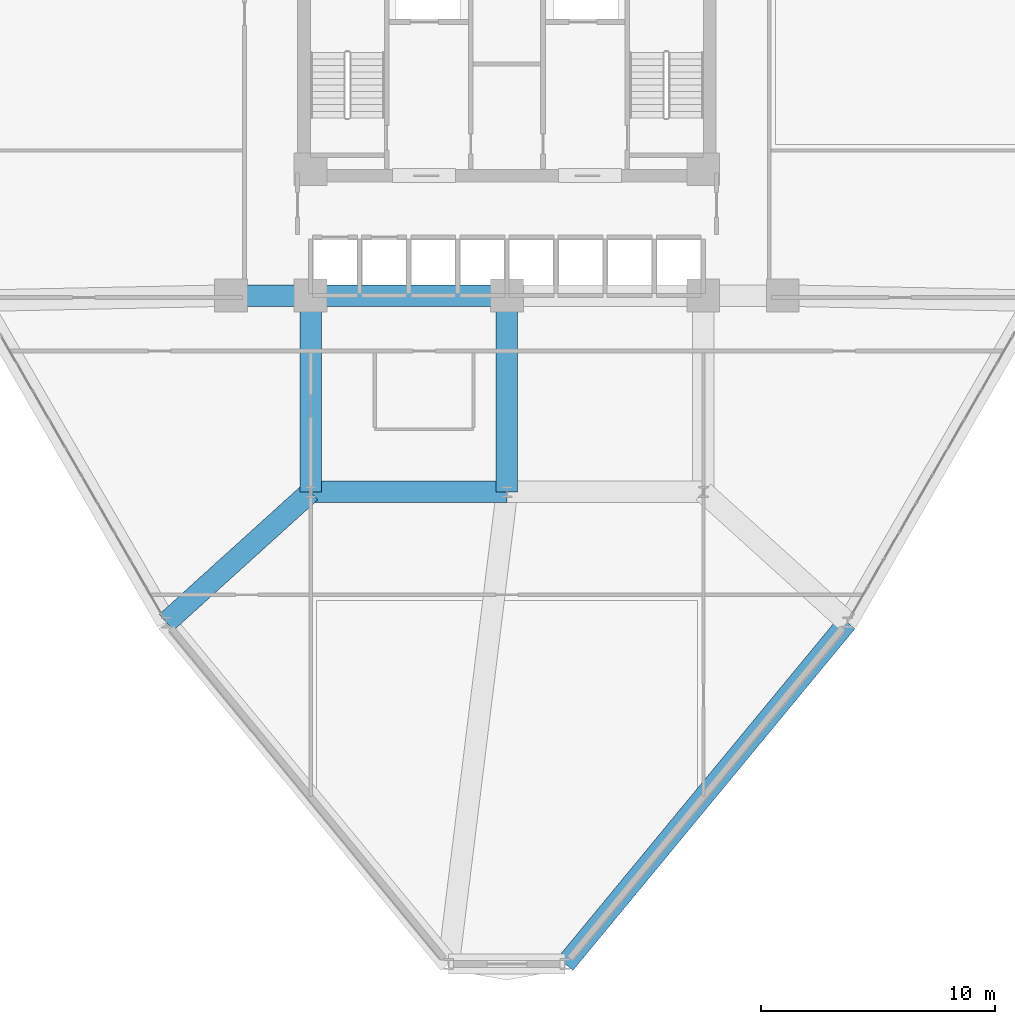
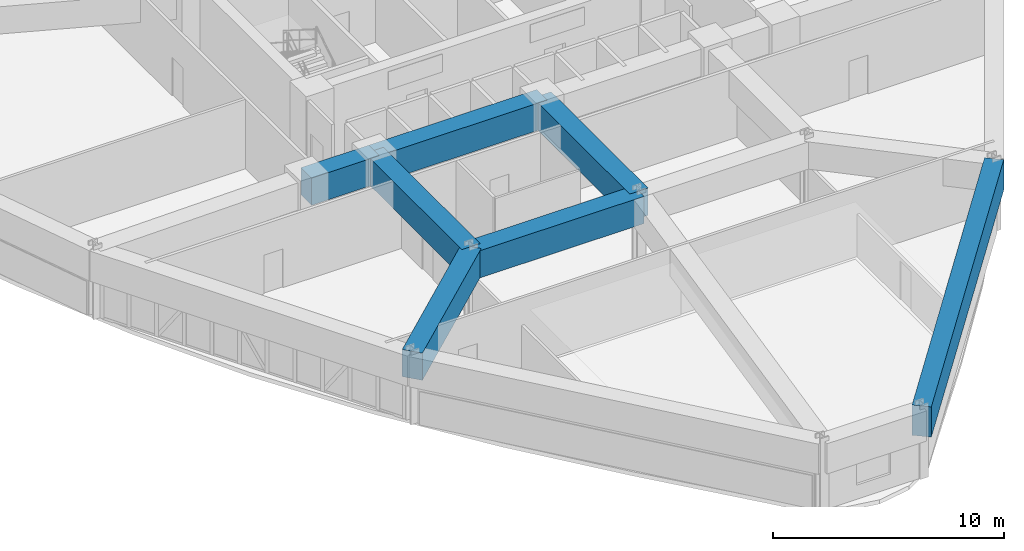
# One storey, part 5 of 20: 7 beams.
"""IFC4 building model written with IfcOpenShell, lengths in metres."""

from ifc_helpers import new_model, si_unit, derived_unit, direction, frame, origin, origin_2d, place, context, subcontext, project, spatial, rectangle, extrude, source, transform, mapped, material, material_profile, profile_set, type_object, element, save


model = new_model("IFC4")

# Units and contexts
model_context = context("Model", 3, precision=1e-05, world=origin(), true_north=direction((0.0, 1.0)))
body_context = subcontext(model_context, "Body", "Model", "MODEL_VIEW")
ifc_project = project(units=[si_unit("LENGTHUNIT", "METRE"), si_unit("AREAUNIT", "SQUARE_METRE"), si_unit("VOLUMEUNIT", "CUBIC_METRE"), si_unit("PLANEANGLEUNIT", "RADIAN"), si_unit("MASSUNIT", "GRAM", prefix="KILO"), derived_unit("THERMALTRANSMITTANCEUNIT", [(si_unit("POWERUNIT", "WATT"), 1), (si_unit("LENGTHUNIT", "METRE"), -2), (si_unit("THERMODYNAMICTEMPERATUREUNIT", "KELVIN"), -1)])], contexts=[model_context])

# Site, building, storey
site_placement = place(None, origin())
site = spatial("IfcSite", under=ifc_project, at=site_placement, CompositionType="ELEMENT")
building_placement = place(site_placement, origin())
building = spatial("IfcBuilding", under=site, at=building_placement, Name="Korsvarv Bourse and Concert Hall", CompositionType="ELEMENT")
storey_placement = place(building_placement, frame((0.0, 0.0, 39.60009765625)))
storey = spatial("IfcBuildingStorey", under=building, at=storey_placement, Name="L09", CompositionType="ELEMENT", Elevation=39.60009765625)

# Beams
ifc_material_1 = material(Name="Concrete C50/60", Category="concrete")
ifc_material_profile_1 = material_profile(ifc_material_1, rectangle(XDim=0.919921875, YDim=1.43994140625, at=origin_2d()), Name="RC-BM 920x1440")
ifc_profile_set_1 = profile_set([ifc_material_profile_1], Name="Concrete C50/60")
beam_type_1 = type_object("IfcBeamType", Name="BM-TR-144", PredefinedType="BEAM", material=ifc_profile_set_1)
shared_shape_1 = source(origin(), body_context, "Body", "SweptSolid", [
    extrude(rectangle(XDim=0.919921875, YDim=1.43994140625, at=origin_2d()), origin(), (0.0, 0.0, 1.0), 3.400146484375),
])
beam_1_placement = place(storey_placement, frame((24.199951171875, 32.39990234375, 2.9599609375), z_axis=(1.0, 0.0, 0.0), x_axis=(0.0, 1.0, 0.0)))
element("IfcBeam", 1, at=beam_1_placement, inside=storey, type_object=beam_type_1, Name="L09 beam B-TR4", PredefinedType="BEAM", context=body_context, shape_type="MappedRepresentation", body=[
    mapped(shared_shape_1, transform((0.0, 0.0, 0.0), scale=1.0)),
])
shared_shape_2 = source(origin(), body_context, "Body", "SweptSolid", [
    extrude(rectangle(XDim=0.919921875, YDim=1.43994140625, at=origin_2d()), origin(), (0.0, 0.0, 1.0), 8.39990234375),
])
for number, where, z_axis, x_axis, name in (
    (2, (27.60009765625, 32.39990234375, 2.9599609375), (1.0, 0.0, 0.0), (0.0, 1.0, 0.0), "L09 beam B-TR4"),
    (3, (27.60009765625, 24.0, 2.9599609375), (1.0, 0.0, 0.0), (0.0, 1.0, 0.0), "L09 beam B-TR4"),
    (4, (27.60009765625, 24.0, 2.9599609375), (0.0, 1.0, 0.0), (-1.0, 0.0, 0.0), "L09 beam B-TR4"),
    (5, (36.0, 24.0, 2.9599609375), (0.0, 1.0, 0.0), (-1.0, 0.0, 0.0), "L09 beam B-TR4"),
):
    element("IfcBeam", number, at=place(storey_placement, frame(where, z_axis=z_axis, x_axis=x_axis)), inside=storey, type_object=beam_type_1, Name=name, PredefinedType="BEAM", context=body_context, shape_type="MappedRepresentation", body=[
        mapped(shared_shape_2, transform((0.0, 0.0, 0.0), scale=1.0)),
    ])
ifc_material_2 = material(Name="Concrete C55/67", Category="concrete")
ifc_material_profile_2 = material_profile(ifc_material_2, rectangle(XDim=0.85009765625, YDim=1.60009765625, at=origin_2d()), Name="RC-BM 850x1600")
ifc_profile_set_2 = profile_set([ifc_material_profile_2], Name="Concrete C55/67")
beam_type_2 = type_object("IfcBeamType", Name="BM-TR1B", PredefinedType="BEAM", material=ifc_profile_set_2)
shared_shape_3 = source(origin(), body_context, "Body", "SweptSolid", [
    extrude(rectangle(XDim=0.85009765625, YDim=1.60009765625, at=origin_2d()), origin(), (0.0, 0.0, 1.0), 18.95849609375),
])
beam_2_placement = place(storey_placement, frame((38.492919921875, 3.802978515625, 2.8798828125), z_axis=(0.636697061267, 0.771114033184, 0.0), x_axis=(-0.771114033184, 0.636697061267, 0.0)))
element("IfcBeam", 6, at=beam_2_placement, inside=storey, type_object=beam_type_2, Name="L09 beam B-TR2", PredefinedType="BEAM", context=body_context, shape_type="MappedRepresentation", body=[
    mapped(shared_shape_3, transform((0.0, 0.0, 0.0), scale=1.0)),
])
shared_shape_4 = source(origin(), body_context, "Body", "SweptSolid", [
    extrude(rectangle(XDim=0.919921875, YDim=1.43994140625, at=origin_2d()), origin(), (0.0, 0.0, 1.0), 8.31298828125),
])
beam_3_placement = place(storey_placement, frame((21.436279296875, 18.422119140625, 2.9599609375), z_axis=(0.741470373588, 0.670985607216, 0.0), x_axis=(-0.670985607216, 0.741470373588, 0.0)))
element("IfcBeam", 7, at=beam_3_placement, inside=storey, type_object=beam_type_1, Name="L09 beam B-TR4", PredefinedType="BEAM", context=body_context, shape_type="MappedRepresentation", body=[
    mapped(shared_shape_4, transform((0.0, 0.0, 0.0), scale=1.0)),
])

save(model, "model.ifc")
